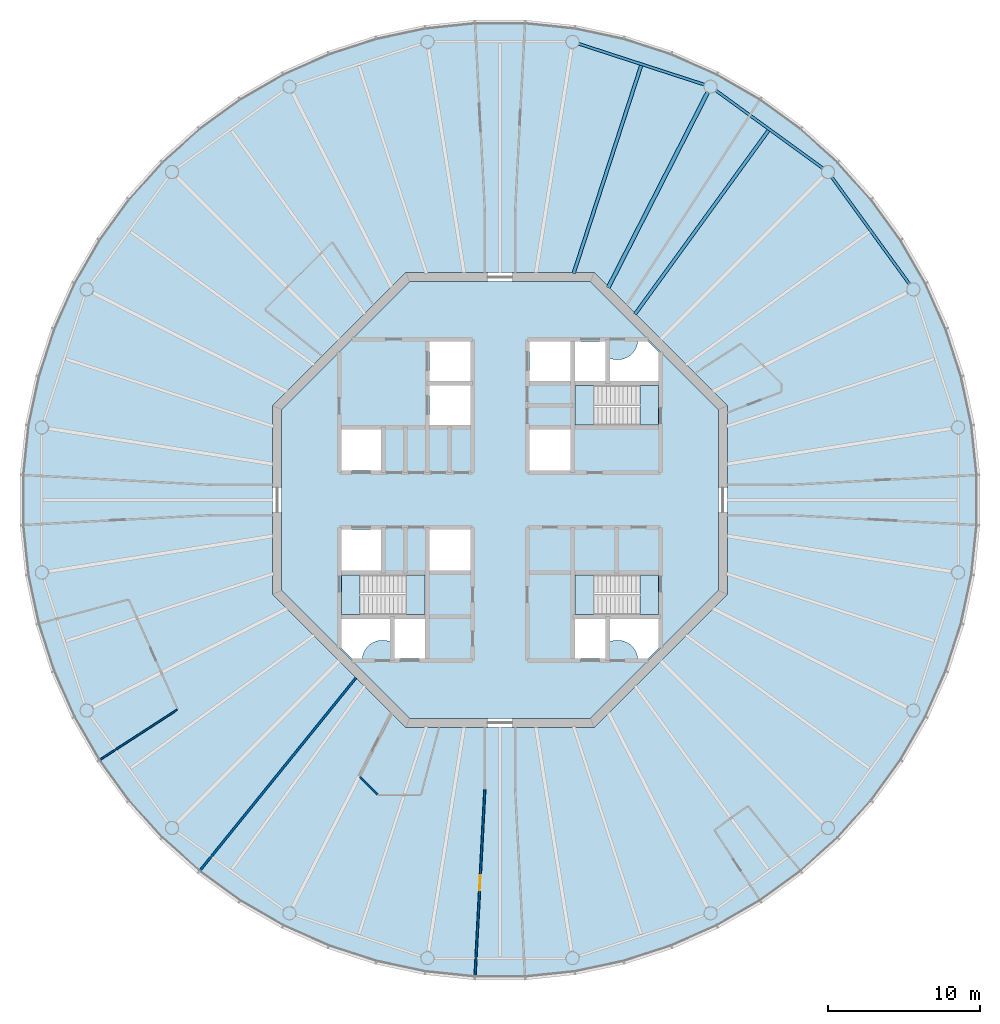
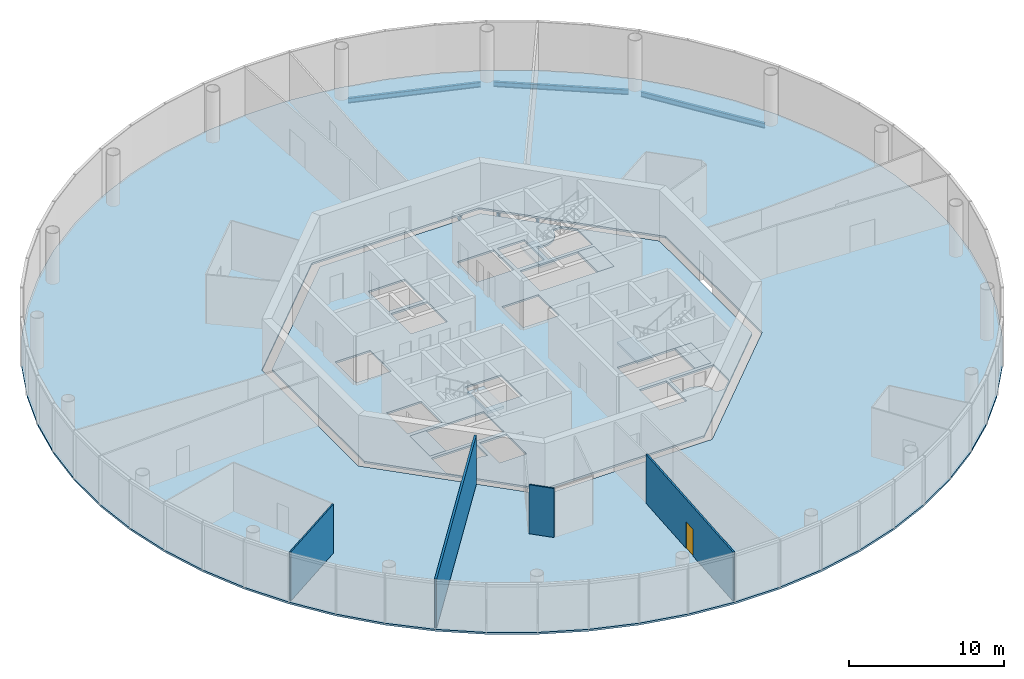
# One storey, part 2 of 13: 8 slabs, 6 beams, 4 walls, 1 door, 1 opening, 3 elements without a shape of their own.
"""IFC4 building model written with IfcOpenShell, lengths in metres."""

from ifc_helpers import new_model, si_unit, direction, frame, frame_2d, origin, origin_2d, place, context, subcontext, project, spatial, polyline, rectangle, i_section, outline, extrude, material, layer, layer_set, material_profile, profile_set, type_object, element, fill, aggregate, save


model = new_model("IFC4")

# Units and contexts
model_context = context("Model", 3, precision=1e-05, world=origin(), true_north=direction((0.0, 1.0)))
body_context = subcontext(model_context, "Body", "Model", "MODEL_VIEW")
ifc_project = project(units=[si_unit("LENGTHUNIT", "METRE"), si_unit("AREAUNIT", "SQUARE_METRE"), si_unit("VOLUMEUNIT", "CUBIC_METRE"), si_unit("PLANEANGLEUNIT", "RADIAN"), si_unit("MASSUNIT", "GRAM", prefix="KILO")], contexts=[model_context])

# Site, building, storey
site_placement = place(None, origin())
site = spatial("IfcSite", under=ifc_project, at=site_placement, CompositionType="ELEMENT")
building_placement = place(site_placement, origin())
building = spatial("IfcBuilding", under=site, at=building_placement, Name="Entoto Ring Tower", CompositionType="ELEMENT")
storey_placement = place(building_placement, frame((0.0, 0.0, 376.0)))
storey = spatial("IfcBuildingStorey", under=building, at=storey_placement, Name="L87", CompositionType="ELEMENT", Elevation=376.0)

# Beams
ifc_material_1 = material(Name="Steel S355", Category="steel")
ifc_material_profile_1 = material_profile(ifc_material_1, i_section(OverallWidth=0.179931640625, OverallDepth=0.39990234375, WebThickness=0.008544921875, FlangeThickness=0.013427734375, FilletRadius=0.02099609375, at=origin_2d()), Name="IPE 400")
ifc_profile_set_1 = profile_set([ifc_material_profile_1], Name="Steel S355")
beam_type_1 = type_object("IfcBeamType", Name="Edge beam IPE 400", PredefinedType="SPANDREL", material=ifc_profile_set_1)
for number, where, z_axis, x_axis, name in (
    (1, (117.017333984375, 94.232666015625, -0.35009765625), (-0.587794254874, 0.80901045354, 0.0), (-0.80901045354, -0.587794254874, 0.0), "Edge beam L87 02"),
    (2, (111.296875, 101.884765625, -0.35009765625), (-0.80901045354, 0.587794254874, 0.0), (-0.587794254874, -0.80901045354, 0.0), "Edge beam L87 03"),
):
    element("IfcBeam", number, at=place(storey_placement, frame(where, z_axis=z_axis, x_axis=x_axis)), inside=storey, type_object=beam_type_1, Name=name, PredefinedType="SPANDREL", context=body_context, shape_type="SweptSolid", body=[
        extrude(i_section(OverallWidth=0.179931640625, OverallDepth=0.39990234375, WebThickness=0.008544921875, FlangeThickness=0.013427734375, FilletRadius=0.02099609375, at=origin_2d()), origin(), (0.0, 0.0, 1.0), 8.73193359375),
    ])
beam_1_placement = place(storey_placement, frame((103.491943359375, 107.394775390625, -0.35009765625), z_axis=(-0.951052147972, 0.309030438368, 0.0), x_axis=(-0.309030438368, -0.951052147972, 0.0)))
element("IfcBeam", 3, at=beam_1_placement, inside=storey, type_object=beam_type_1, Name="Edge beam L87 04", PredefinedType="SPANDREL", context=body_context, shape_type="SweptSolid", body=[
    extrude(i_section(OverallWidth=0.179931640625, OverallDepth=0.39990234375, WebThickness=0.008544921875, FlangeThickness=0.013427734375, FilletRadius=0.02099609375, at=origin_2d()), origin(), (0.0, 0.0, 1.0), 8.732177734375),
])
ifc_material_2 = material(Name="Steel S355", Category="steel")
ifc_material_profile_2 = material_profile(ifc_material_2, i_section(OverallWidth=0.262939453125, OverallDepth=0.7529296875, WebThickness=0.011474609375, FlangeThickness=0.01708984375, FilletRadius=0.01708984375, at=origin_2d()), Name="IPE 750 x 137")
ifc_profile_set_2 = profile_set([ifc_material_profile_2], Name="Steel S355")
beam_type_2 = type_object("IfcBeamType", Name="Primary floor beam IPE 750 x 137", PredefinedType="BEAM", material=ifc_profile_set_2)
beam_2_placement = place(storey_placement, frame((97.1318359375, 93.9970703125, -0.526611328125), z_axis=(0.453991952968, 0.89100578373, 0.0), x_axis=(-0.89100578373, 0.453991952968, 0.0)))
element("IfcBeam", 4, at=beam_2_placement, inside=storey, type_object=beam_type_2, Name="Primary L87 R04", PredefinedType="BEAM", context=body_context, shape_type="SweptSolid", body=[
    extrude(i_section(OverallWidth=0.262939453125, OverallDepth=0.7529296875, WebThickness=0.011474609375, FlangeThickness=0.01708984375, FilletRadius=0.01708984375, at=origin_2d()), origin(), (0.0, 0.0, 1.0), 14.48046875),
])
ifc_material_3 = material(Name="Steel S355", Category="steel")
ifc_material_profile_3 = material_profile(ifc_material_3, i_section(OverallWidth=0.219970703125, OverallDepth=0.60009765625, WebThickness=0.011962890625, FlangeThickness=0.01904296875, FilletRadius=0.02392578125, at=origin_2d()), Name="IPE 600")
ifc_profile_set_3 = profile_set([ifc_material_profile_3], Name="Steel S355")
beam_type_3 = type_object("IfcBeamType", Name="Secondary floor beam IPE 600", PredefinedType="JOIST", material=ifc_profile_set_3)
beam_3_placement = place(storey_placement, frame((98.90478515625, 92.25634765625, -0.449951171875), z_axis=(0.587782163866, 0.809019238239, 0.0), x_axis=(-0.809019238239, 0.587782163866, 0.0)))
element("IfcBeam", 5, at=beam_3_placement, inside=storey, type_object=beam_type_3, Name="Secondary beam L87 03", PredefinedType="JOIST", context=body_context, shape_type="SweptSolid", body=[
    extrude(i_section(OverallWidth=0.219970703125, OverallDepth=0.60009765625, WebThickness=0.011962890625, FlangeThickness=0.01904296875, FilletRadius=0.02392578125, at=origin_2d()), origin(), (0.0, 0.0, 1.0), 14.983642578125),
])
beam_4_placement = place(storey_placement, frame((94.856689453125, 94.947021484375, -0.449951171875), z_axis=(0.309014850288, 0.951057212949, 0.0), x_axis=(-0.951057212949, 0.309014850288, 0.0)))
element("IfcBeam", 6, at=beam_4_placement, inside=storey, type_object=beam_type_3, Name="Secondary beam L87 04", PredefinedType="JOIST", context=body_context, shape_type="SweptSolid", body=[
    extrude(i_section(OverallWidth=0.219970703125, OverallDepth=0.60009765625, WebThickness=0.011962890625, FlangeThickness=0.01904296875, FilletRadius=0.02392578125, at=origin_2d()), origin(), (0.0, 0.0, 1.0), 14.4169921875),
])

# Slabs
ifc_material_4 = material(Name="Concrete C30/37", Category="concrete")
ifc_layer_1 = layer(ifc_material_4, 0.14990234375)
ifc_layer_set_1 = layer_set([ifc_layer_1], Name="Concrete C30/37")
slab_type_1 = type_object("IfcSlabType", Name="Composite floor slab 150 mm", PredefinedType="FLOOR", material=ifc_layer_set_1)
slab_1_placement = place(storey_placement, frame((0.0, 0.0, -0.14990234375)))
element("IfcSlab", 7, at=slab_1_placement, inside=storey, type_object=slab_type_1, Name="Floor slab L87", PredefinedType="FLOOR", context=body_context, shape_type="SweptSolid", body=[
    extrude(outline(polyline([(121.2109375, 84.943359375), (120.523193359375, 88.1787109375), (119.501220703125, 91.324462890625), (118.15576171875, 94.34619140625), (116.501953125, 97.210693359375), (114.557861328125, 99.886474609375), (112.344482421875, 102.344482421875), (109.886474609375, 104.557861328125), (107.210693359375, 106.501953125), (104.34619140625, 108.15576171875), (101.324462890625, 109.501220703125), (98.1787109375, 110.523193359375), (94.943359375, 111.2109375), (91.65380859375, 111.556640625), (88.34619140625, 111.556640625), (85.056640625, 111.2109375), (81.8212890625, 110.523193359375), (78.675537109375, 109.501220703125), (75.65380859375, 108.15576171875), (72.789306640625, 106.501953125), (70.113525390625, 104.557861328125), (67.655517578125, 102.344482421875), (65.442138671875, 99.886474609375), (63.498046875, 97.210693359375), (61.84423828125, 94.34619140625), (60.498779296875, 91.324462890625), (59.476806640625, 88.1787109375), (58.7890625, 84.943359375), (58.443359375, 81.65380859375), (58.443359375, 78.34619140625), (58.7890625, 75.056640625), (59.476806640625, 71.8212890625), (60.498779296875, 68.675537109375), (61.84423828125, 65.65380859375), (63.498046875, 62.789306640625), (65.442138671875, 60.113525390625), (67.655517578125, 57.655517578125), (70.113525390625, 55.442138671875), (72.789306640625, 53.498046875), (75.65380859375, 51.84423828125), (78.675537109375, 50.498779296875), (81.8212890625, 49.476806640625), (85.056640625, 48.7890625), (88.34619140625, 48.443359375), (91.65380859375, 48.443359375), (94.943359375, 48.7890625), (98.1787109375, 49.476806640625), (101.324462890625, 50.498779296875), (104.34619140625, 51.84423828125), (107.210693359375, 53.498046875), (109.886474609375, 55.442138671875), (112.344482421875, 57.655517578125), (114.557861328125, 60.113525390625), (116.501953125, 62.789306640625), (118.15576171875, 65.65380859375), (119.501220703125, 68.675537109375), (120.523193359375, 71.8212890625), (121.2109375, 75.056640625), (121.556640625, 78.34619140625), (121.556640625, 81.65380859375), (121.2109375, 84.943359375)]), holes=[polyline([(105.0, 73.786865234375), (105.0, 86.213134765625), (96.213134765625, 95.0), (83.786865234375, 95.0), (75.0, 86.213134765625), (75.0, 73.786865234375), (83.786865234375, 65.0), (96.213134765625, 65.0), (105.0, 73.786865234375)])]), origin(), (0.0, 0.0, 1.0), 0.14990234375),
])
ifc_material_5 = material(Name="Concrete C40/50", Category="concrete")
ifc_layer_2 = layer(ifc_material_5, 0.14990234375)
ifc_layer_set_2 = layer_set([ifc_layer_2], Name="Concrete C40/50")
slab_type_2 = type_object("IfcSlabType", Name="Core floor slab 150 mm reinforced concrete C40/50", PredefinedType="FLOOR", material=ifc_layer_set_2)
slab_2_placement = place(storey_placement, frame((0.0, 0.0, -0.14990234375)))
element("IfcSlab", 8, at=slab_2_placement, inside=storey, type_object=slab_type_2, Name="Core floor L87", PredefinedType="FLOOR", context=body_context, shape_type="SweptSolid", body=[
    extrude(outline(polyline([(104.39990234375, 74.035400390625), (104.39990234375, 85.964599609375), (95.964599609375, 94.39990234375), (84.035400390625, 94.39990234375), (75.60009765625, 85.964599609375), (75.60009765625, 74.035400390625), (84.035400390625, 65.60009765625), (95.964599609375, 65.60009765625), (104.39990234375, 74.035400390625)]), holes=[polyline([(100.449951171875, 84.949951171875), (100.449951171875, 87.550048828125), (94.949951171875, 87.550048828125), (94.949951171875, 84.949951171875), (100.449951171875, 84.949951171875)]), polyline([(85.050048828125, 72.449951171875), (85.050048828125, 75.050048828125), (79.550048828125, 75.050048828125), (79.550048828125, 72.449951171875), (85.050048828125, 72.449951171875)]), polyline([(100.449951171875, 72.449951171875), (100.449951171875, 75.050048828125), (94.949951171875, 75.050048828125), (94.949951171875, 72.449951171875), (100.449951171875, 72.449951171875)]), polyline([(94.949951171875, 90.449951171875), (94.949951171875, 87.85009765625), (96.949951171875, 87.85009765625), (96.949951171875, 90.449951171875), (94.949951171875, 90.449951171875)]), polyline([(94.949951171875, 72.14990234375), (94.949951171875, 69.550048828125), (96.949951171875, 69.550048828125), (96.949951171875, 72.14990234375), (94.949951171875, 72.14990234375)]), polyline([(83.050048828125, 72.14990234375), (83.050048828125, 69.550048828125), (85.050048828125, 69.550048828125), (85.050048828125, 72.14990234375), (83.050048828125, 72.14990234375)]), polyline([(79.550048828125, 81.949951171875), (82.14990234375, 81.949951171875), (82.14990234375, 84.64990234375), (79.550048828125, 84.64990234375), (79.550048828125, 81.949951171875)]), polyline([(79.550048828125, 75.35009765625), (82.14990234375, 75.35009765625), (82.14990234375, 78.050048828125), (79.550048828125, 78.050048828125), (79.550048828125, 75.35009765625)]), polyline([(91.949951171875, 87.85009765625), (94.64990234375, 87.85009765625), (94.64990234375, 90.449951171875), (91.949951171875, 90.449951171875), (91.949951171875, 87.85009765625)]), polyline([(91.949951171875, 81.949951171875), (94.64990234375, 81.949951171875), (94.64990234375, 84.64990234375), (91.949951171875, 84.64990234375), (91.949951171875, 81.949951171875)]), polyline([(85.35009765625, 75.35009765625), (88.050048828125, 75.35009765625), (88.050048828125, 78.050048828125), (85.35009765625, 78.050048828125), (85.35009765625, 75.35009765625)]), polyline([(85.35009765625, 84.949951171875), (88.050048828125, 84.949951171875), (88.050048828125, 87.550048828125), (85.35009765625, 87.550048828125), (85.35009765625, 84.949951171875)]), polyline([(85.35009765625, 87.85009765625), (88.050048828125, 87.85009765625), (88.050048828125, 90.449951171875), (85.35009765625, 90.449951171875), (85.35009765625, 87.85009765625)]), polyline([(97.199951171875, 89.368408203125), (97.199951171875, 87.800048828125), (100.5, 87.800048828125), (100.5, 89.723388671875), (99.723388671875, 90.5), (99.09521484375, 90.5), (99.093505859375, 90.4677734375), (99.07421875, 90.336669921875), (99.0419921875, 90.2080078125), (98.997314453125, 90.08349609375), (98.940673828125, 89.963623046875), (98.87255859375, 89.85009765625), (98.793701171875, 89.74365234375), (98.70458984375, 89.6455078125), (98.6064453125, 89.556396484375), (98.5, 89.4775390625), (98.386474609375, 89.409423828125), (98.2666015625, 89.352783203125), (98.141845703125, 89.30810546875), (98.013427734375, 89.27587890625), (97.88232421875, 89.256591796875), (97.75, 89.25), (97.61767578125, 89.256591796875), (97.486572265625, 89.27587890625), (97.358154296875, 89.30810546875), (97.2333984375, 89.352783203125), (97.199951171875, 89.368408203125)]), polyline([(80.276611328125, 69.5), (80.90478515625, 69.5), (80.906494140625, 69.5322265625), (80.92578125, 69.663330078125), (80.9580078125, 69.7919921875), (81.002685546875, 69.91650390625), (81.059326171875, 70.036376953125), (81.12744140625, 70.14990234375), (81.206298828125, 70.25634765625), (81.29541015625, 70.3544921875), (81.3935546875, 70.443603515625), (81.5, 70.5224609375), (81.613525390625, 70.590576171875), (81.7333984375, 70.647216796875), (81.858154296875, 70.69189453125), (81.986572265625, 70.72412109375), (82.11767578125, 70.743408203125), (82.25, 70.75), (82.38232421875, 70.743408203125), (82.513427734375, 70.72412109375), (82.641845703125, 70.69189453125), (82.7666015625, 70.647216796875), (82.800048828125, 70.631591796875), (82.800048828125, 72.199951171875), (79.5, 72.199951171875), (79.5, 70.276611328125), (80.276611328125, 69.5)]), polyline([(99.09521484375, 69.5), (99.723388671875, 69.5), (100.5, 70.276611328125), (100.5, 72.199951171875), (97.199951171875, 72.199951171875), (97.199951171875, 70.631591796875), (97.2333984375, 70.647216796875), (97.358154296875, 70.69189453125), (97.486572265625, 70.72412109375), (97.61767578125, 70.743408203125), (97.75, 70.75), (97.88232421875, 70.743408203125), (98.013427734375, 70.72412109375), (98.141845703125, 70.69189453125), (98.2666015625, 70.647216796875), (98.386474609375, 70.590576171875), (98.5, 70.5224609375), (98.6064453125, 70.443603515625), (98.70458984375, 70.3544921875), (98.793701171875, 70.25634765625), (98.87255859375, 70.14990234375), (98.940673828125, 70.036376953125), (98.997314453125, 69.91650390625), (99.0419921875, 69.7919921875), (99.07421875, 69.663330078125), (99.093505859375, 69.5322265625), (99.09521484375, 69.5)])]), origin(), (0.0, 0.0, 1.0), 0.14990234375),
])

# Stair, slabs
ifc_material_6 = material(Name="Concrete C40/50", Category="concrete")
stair_type = type_object("IfcStairType", Name="Exit stair 1200 mm dog-leg reinforced concrete", PredefinedType="HALF_TURN_STAIR", material=ifc_material_6)
stair_1_placement = place(storey_placement, origin())
stair_1 = element("IfcStair", 9, at=stair_1_placement, inside=storey, type_object=stair_type, Name="Exit stair 1", PredefinedType="HALF_TURN_STAIR")
ifc_material_7 = material(Name="Concrete C40/50", Category="concrete")
ifc_layer_3 = layer(ifc_material_7, 0.199951171875)
ifc_layer_set_3 = layer_set([ifc_layer_3], Name="Concrete C40/50")
slab_type_3 = type_object("IfcSlabType", Name="Stair landing 200 mm reinforced concrete", PredefinedType="LANDING", material=ifc_layer_set_3)
slab_3_placement = place(storey_placement, frame((0.0, 0.0, -0.199951171875)))
slab_3 = element("IfcSlab", 10, at=slab_3_placement, type_object=slab_type_3, Name="ST1 landing 1", PredefinedType="LANDING", context=body_context, shape_type="SweptSolid", body=[
    extrude(outline(polyline([(100.449951171875, 84.949951171875), (100.449951171875, 87.550048828125), (99.25, 87.550048828125), (99.25, 84.949951171875), (100.449951171875, 84.949951171875)])), origin(), (0.0, 0.0, 1.0), 0.199951171875),
])
slab_4_placement = place(storey_placement, frame((0.0, 0.0, 1.800048828125)))
slab_4 = element("IfcSlab", 11, at=slab_4_placement, type_object=slab_type_3, Name="ST1 landing 2", PredefinedType="LANDING", context=body_context, shape_type="SweptSolid", body=[
    extrude(outline(polyline([(94.949951171875, 84.949951171875), (96.169921875, 84.949951171875), (96.169921875, 87.550048828125), (94.949951171875, 87.550048828125), (94.949951171875, 84.949951171875)])), origin(), (0.0, 0.0, 1.0), 0.199951171875),
])
aggregate(stair_1, [slab_3, slab_4])

stair_2_placement = place(storey_placement, origin())
stair_2 = element("IfcStair", 12, at=stair_2_placement, inside=storey, type_object=stair_type, Name="Exit stair 2", PredefinedType="HALF_TURN_STAIR")
slab_5_placement = place(storey_placement, frame((0.0, 0.0, -0.199951171875)))
slab_5 = element("IfcSlab", 13, at=slab_5_placement, type_object=slab_type_3, Name="ST2 landing 1", PredefinedType="LANDING", context=body_context, shape_type="SweptSolid", body=[
    extrude(outline(polyline([(80.75, 72.449951171875), (80.75, 75.050048828125), (79.550048828125, 75.050048828125), (79.550048828125, 72.449951171875), (80.75, 72.449951171875)])), origin(), (0.0, 0.0, 1.0), 0.199951171875),
])
slab_6_placement = place(storey_placement, frame((0.0, 0.0, 1.800048828125)))
slab_6 = element("IfcSlab", 14, at=slab_6_placement, type_object=slab_type_3, Name="ST2 landing 2", PredefinedType="LANDING", context=body_context, shape_type="SweptSolid", body=[
    extrude(outline(polyline([(83.830078125, 72.449951171875), (85.050048828125, 72.449951171875), (85.050048828125, 75.050048828125), (83.830078125, 75.050048828125), (83.830078125, 72.449951171875)])), origin(), (0.0, 0.0, 1.0), 0.199951171875),
])
aggregate(stair_2, [slab_5, slab_6])

stair_3_placement = place(storey_placement, origin())
stair_3 = element("IfcStair", 15, at=stair_3_placement, inside=storey, type_object=stair_type, Name="Exit stair 3", PredefinedType="HALF_TURN_STAIR")
slab_7_placement = place(storey_placement, frame((0.0, 0.0, -0.199951171875)))
slab_7 = element("IfcSlab", 16, at=slab_7_placement, type_object=slab_type_3, Name="ST3 landing 1", PredefinedType="LANDING", context=body_context, shape_type="SweptSolid", body=[
    extrude(outline(polyline([(100.449951171875, 72.449951171875), (100.449951171875, 75.050048828125), (99.25, 75.050048828125), (99.25, 72.449951171875), (100.449951171875, 72.449951171875)])), origin(), (0.0, 0.0, 1.0), 0.199951171875),
])
slab_8_placement = place(storey_placement, frame((0.0, 0.0, 1.800048828125)))
slab_8 = element("IfcSlab", 17, at=slab_8_placement, type_object=slab_type_3, Name="ST3 landing 2", PredefinedType="LANDING", context=body_context, shape_type="SweptSolid", body=[
    extrude(outline(polyline([(94.949951171875, 72.449951171875), (96.169921875, 72.449951171875), (96.169921875, 75.050048828125), (94.949951171875, 75.050048828125), (94.949951171875, 72.449951171875)])), origin(), (0.0, 0.0, 1.0), 0.199951171875),
])
aggregate(stair_3, [slab_7, slab_8])

# Wall, opening, door
ifc_material_8 = material(Name="Fire-resisting plasterboard on steel studs", Category="steel")
ifc_layer_4 = layer(ifc_material_8, 0.125)
ifc_layer_set_4 = layer_set([ifc_layer_4], Name="Fire-resisting plasterboard on steel studs")
wall_type_1 = type_object("IfcWallType", Name="Corridor wall 125 mm one-hour plasterboard on steel studs", PredefinedType="PARTITIONING", material=ifc_layer_set_4)
wall_1_placement = place(storey_placement, frame((88.3544921875, 48.60302734375, 0.0), z_axis=(0.0, 0.0, 1.0), x_axis=(0.052340638328, 0.998629289366, 0.0)))
wall_1 = element("IfcWall", 18, at=wall_1_placement, inside=storey, type_object=wall_type_1, Name="partition-L87-003", PredefinedType="PARTITIONING", context=body_context, shape_type="SweptSolid", body=[
    extrude(rectangle(XDim=12.332763671875, YDim=0.125, at=frame_2d((6.16650390625, 0.0))), origin(), (0.0, 0.0, 1.0), 3.85009765625),
])
opening_placement = place(wall_1_placement, frame((5.666259765625, 0.0, 0.0)))
opening = element("IfcOpeningElement", 19, at=opening_placement, cuts=wall_1, Name="Opening A37-D08", PredefinedType="OPENING", context=body_context, shape_type="SweptSolid", body=[
    extrude(rectangle(XDim=1.0, YDim=2.10009765625, at=frame_2d((0.5, 1.050048828125))), frame((0.0, 0.072509765625, 0.0), z_axis=(0.0, -1.0, 0.0), x_axis=(1.0, 0.0, 0.0)), (0.0, 0.0, 1.0), 0.14501953125),
])
ifc_material_9 = material(Name="Fire-resisting timber door set", Category="wood")
door_type = type_object("IfcDoorType", Name="Door 1000 x 2100 single leaf FD30S fire door", OperationType="NOTDEFINED", PredefinedType="DOOR", material=ifc_material_9)
door_placement = place(opening_placement, origin())
door = element("IfcDoor", 20, at=door_placement, inside=storey, type_object=door_type, Name="Door A37-D08", OperationType="SINGLE_SWING_LEFT", OverallHeight=2.10009765625, OverallWidth=1.0, PredefinedType="DOOR", context=body_context, shape_type="SweptSolid", body=[
    extrude(rectangle(XDim=1.0, YDim=2.10009765625, at=frame_2d((0.5, 1.050048828125))), frame((0.0, 0.02490234375, 0.0), z_axis=(0.0, -1.0, 0.0), x_axis=(1.0, 0.0, 0.0)), (0.0, 0.0, 1.0), 0.050048828125),
])
fill(opening, door)

# Walls
ifc_material_10 = material(Name="Plasterboard on steel studs", Category="steel")
ifc_layer_5 = layer(ifc_material_10, 0.10009765625)
ifc_layer_set_5 = layer_set([ifc_layer_5], Name="Plasterboard on steel studs")
wall_type_2 = type_object("IfcWallType", Name="Partition 100 mm plasterboard on steel studs", PredefinedType="PARTITIONING", material=ifc_layer_set_5)
wall_2_placement = place(storey_placement, frame((63.632080078125, 62.87646484375, 0.0), z_axis=(0.0, 0.0, 1.0), x_axis=(0.838667927418, 0.54464310105, 0.0)))
element("IfcWall", 21, at=wall_2_placement, inside=storey, type_object=wall_type_2, Name="partition-L87-021", PredefinedType="PARTITIONING", context=body_context, shape_type="SweptSolid", body=[
    extrude(rectangle(XDim=6.040771484375, YDim=0.10009765625, at=frame_2d((3.0205078125, 0.0))), origin(), (0.0, 0.0, 1.0), 3.85009765625),
])
wall_3_placement = place(storey_placement, frame((81.918701171875, 60.57470703125, 0.0), z_axis=(0.0, 0.0, 1.0), x_axis=(-0.707032989715, 0.707180564958, 0.0)))
element("IfcWall", 22, at=wall_3_placement, inside=storey, type_object=wall_type_2, Name="partition-L87-034", PredefinedType="PARTITIONING", context=body_context, shape_type="SweptSolid", body=[
    extrude(rectangle(XDim=1.654296875, YDim=0.10009765625, at=frame_2d((0.8271484375, 0.0))), origin(), (0.0, 0.0, 1.0), 3.85009765625),
])
ifc_material_11 = material(Name="Fire-resisting acoustic plasterboard on steel studs", Category="steel")
ifc_layer_6 = layer(ifc_material_11, 0.14990234375)
ifc_layer_set_6 = layer_set([ifc_layer_6], Name="Fire-resisting acoustic plasterboard on steel studs")
wall_type_3 = type_object("IfcWallType", Name="Party wall 150 mm one-hour acoustic plasterboard on steel studs", PredefinedType="PARTITIONING", material=ifc_layer_set_6)
wall_4_placement = place(storey_placement, frame((70.214111328125, 55.56640625, 0.0), z_axis=(0.0, 0.0, 1.0), x_axis=(0.629323592667, 0.777143368827, 0.0)))
element("IfcWall", 23, at=wall_4_placement, inside=storey, type_object=wall_type_3, Name="partition-L87-017", PredefinedType="PARTITIONING", context=body_context, shape_type="SweptSolid", body=[
    extrude(rectangle(XDim=16.357666015625, YDim=0.14990234375, at=frame_2d((8.1787109375, 0.0))), origin(), (0.0, 0.0, 1.0), 3.85009765625),
])

save(model, "model.ifc")
